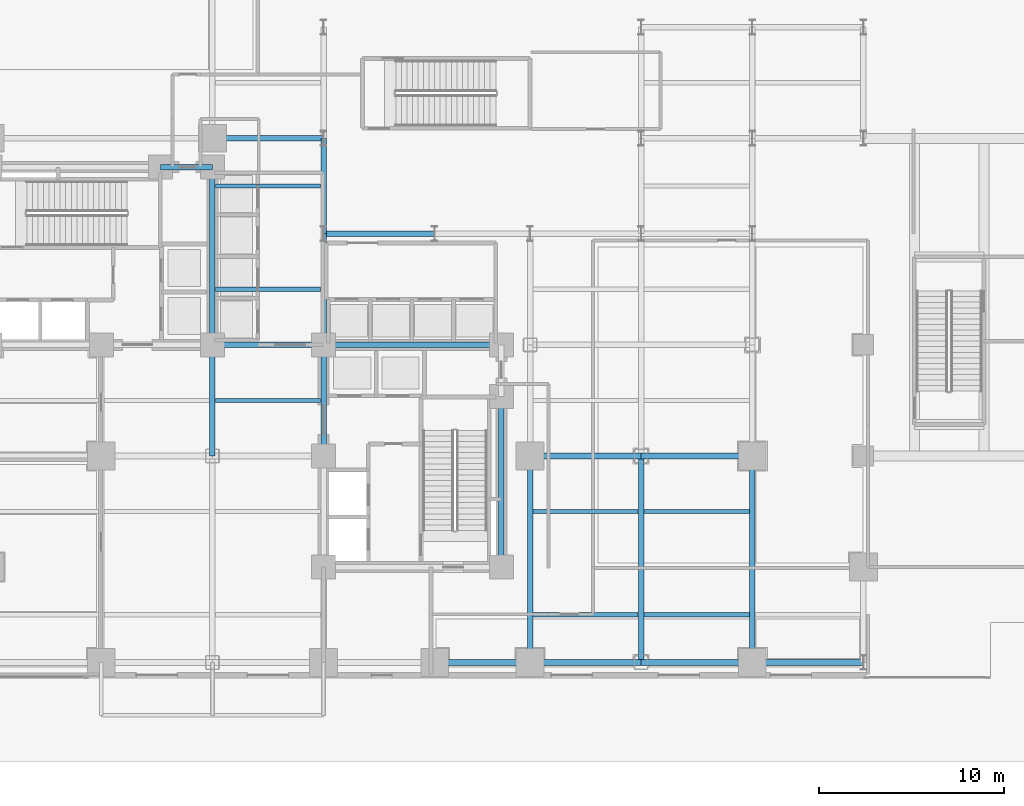
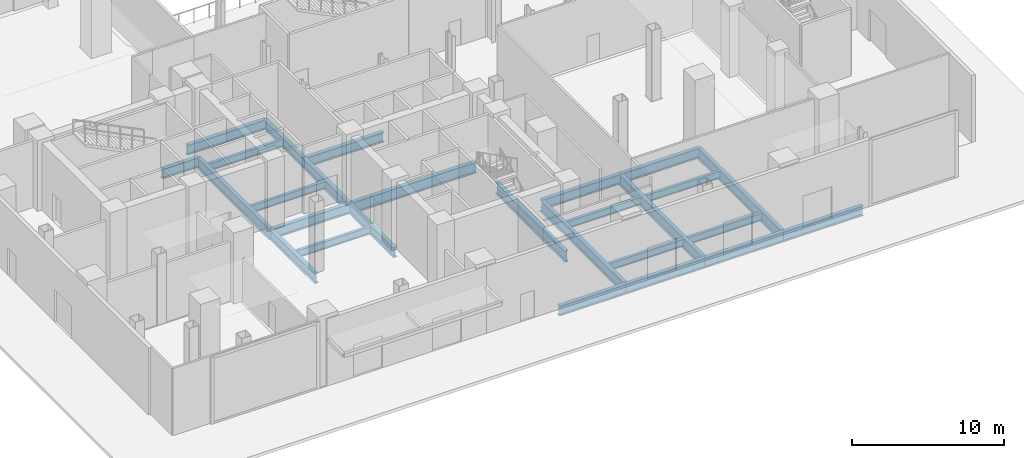
# One storey, part 6 of 27: 27 beams.
"""IFC4 building model written with IfcOpenShell, lengths in metres."""

from ifc_helpers import new_model, si_unit, direction, frame, origin, origin_2d, place, context, subcontext, project, spatial, i_section, extrude, material, material_profile, profile_set, type_object, element, save


model = new_model("IFC4")

# Units and contexts
model_context = context("Model", 3, precision=1e-05, world=origin(), true_north=direction((0.0, 1.0)))
body_context = subcontext(model_context, "Body", "Model", "MODEL_VIEW")
ifc_project = project(units=[si_unit("LENGTHUNIT", "METRE"), si_unit("AREAUNIT", "SQUARE_METRE"), si_unit("VOLUMEUNIT", "CUBIC_METRE"), si_unit("PLANEANGLEUNIT", "RADIAN"), si_unit("MASSUNIT", "GRAM", prefix="KILO"), si_unit("THERMODYNAMICTEMPERATUREUNIT", "KELVIN"), si_unit("POWERUNIT", "WATT")], contexts=[model_context])

# Site, building, storey
site_placement = place(None, origin())
site = spatial("IfcSite", under=ifc_project, at=site_placement, CompositionType="ELEMENT")
building_placement = place(site_placement, origin())
building = spatial("IfcBuilding", under=site, at=building_placement, Name="Svarakhadi Broadcast Tower", CompositionType="ELEMENT")
storey_placement = place(building_placement, origin())
storey = spatial("IfcBuildingStorey", under=building, at=storey_placement, Name="L00", CompositionType="ELEMENT", Elevation=0.0)

# Beams
ifc_material_1 = material(Name="Steel S355J2 (IS 2062 E350C)", Category="steel")
ifc_material_profile_1 = material_profile(ifc_material_1, i_section(OverallWidth=0.219970703125, OverallDepth=0.60009765625, WebThickness=0.011962890625, FlangeThickness=0.01904296875, FilletRadius=0.02392578125, at=origin_2d()), Name="NPB 600x220x122")
ifc_profile_set_1 = profile_set([ifc_material_profile_1], Name="Steel S355J2 (IS 2062 E350C)")
beam_type_1 = type_object("IfcBeamType", Name="Beam_NPB600", PredefinedType="BEAM", material=ifc_profile_set_1)
for number, where, z_axis, x_axis, name in (
    (1, (18.159912109375, 15.0, -0.64990234375), (1.0, 0.0, 0.0), (0.0, 1.0, 0.0), "L00 Secondary Composite Beam SB015"),
    (2, (18.159912109375, 21.0, -0.64990234375), (1.0, 0.0, 0.0), (0.0, 1.0, 0.0), "L00 Secondary Composite Beam SB016"),
    (3, (18.159912109375, 26.574951171875, -0.64990234375), (1.0, 0.0, 0.0), (0.0, 1.0, 0.0), "L00 Secondary Composite Beam SB017"),
):
    element("IfcBeam", number, at=place(storey_placement, frame(where, z_axis=z_axis, x_axis=x_axis)), inside=storey, type_object=beam_type_1, Name=name, PredefinedType="BEAM", context=body_context, shape_type="SweptSolid", body=[
        extrude(i_section(OverallWidth=0.219970703125, OverallDepth=0.60009765625, WebThickness=0.011962890625, FlangeThickness=0.01904296875, FilletRadius=0.02392578125, at=origin_2d()), origin(), (0.0, 0.0, 1.0), 5.68017578125),
    ])
for number, where, z_axis, x_axis, name in (
    (4, (35.31005859375, 3.425048828125, -0.64990234375), (1.0, 0.0, 0.0), (0.0, 1.0, 0.0), "L00 Secondary Composite Beam SB019"),
    (5, (35.31005859375, 9.0, -0.64990234375), (1.0, 0.0, 0.0), (0.0, 1.0, 0.0), "L00 Secondary Composite Beam SB020"),
    (6, (41.31005859375, 3.425048828125, -0.64990234375), (1.0, 0.0, 0.0), (0.0, 1.0, 0.0), "L00 Secondary Composite Beam SB023"),
    (7, (41.31005859375, 9.0, -0.64990234375), (1.0, 0.0, 0.0), (0.0, 1.0, 0.0), "L00 Secondary Composite Beam SB024"),
):
    element("IfcBeam", number, at=place(storey_placement, frame(where, z_axis=z_axis, x_axis=x_axis)), inside=storey, type_object=beam_type_1, Name=name, PredefinedType="BEAM", context=body_context, shape_type="SweptSolid", body=[
        extrude(i_section(OverallWidth=0.219970703125, OverallDepth=0.60009765625, WebThickness=0.011962890625, FlangeThickness=0.01904296875, FilletRadius=0.02392578125, at=origin_2d()), origin(), (0.0, 0.0, 1.0), 5.679931640625),
    ])
ifc_material_profile_2 = material_profile(ifc_material_1, i_section(OverallWidth=0.300048828125, OverallDepth=0.800048828125, WebThickness=0.017578125, FlangeThickness=0.032958984375, FilletRadius=0.030029296875, at=origin_2d()), Name="WPB 800x300x262")
ifc_profile_set_2 = profile_set([ifc_material_profile_2], Name="Steel S355J2 (IS 2062 E350C)")
beam_type_2 = type_object("IfcBeamType", Name="Girder_WPB800", PredefinedType="USERDEFINED", material=ifc_profile_set_2)
beam_1_placement = place(storey_placement, frame((30.0, 0.85009765625, -0.75), z_axis=(1.0, 0.0, 0.0), x_axis=(0.0, 1.0, 0.0)))
element("IfcBeam", 8, at=beam_1_placement, inside=storey, type_object=beam_type_2, Name="L00 Primary E-W Girder G008", ObjectType="GIRDER", PredefinedType="USERDEFINED", context=body_context, shape_type="SweptSolid", body=[
    extrude(i_section(OverallWidth=0.300048828125, OverallDepth=0.800048828125, WebThickness=0.017578125, FlangeThickness=0.032958984375, FilletRadius=0.030029296875, at=origin_2d()), origin(), (0.0, 0.0, 1.0), 5.14990234375),
])
for number, where, z_axis, x_axis, name in (
    (9, (35.14990234375, 0.85009765625, -0.75), (1.0, 0.0, 0.0), (0.0, 1.0, 0.0), "L00 Primary E-W Girder G009"),
    (10, (41.14990234375, 0.85009765625, -0.75), (1.0, 0.0, 0.0), (0.0, 1.0, 0.0), "L00 Primary E-W Girder G010"),
    (11, (47.14990234375, 0.85009765625, -0.75), (1.0, 0.0, 0.0), (0.0, 1.0, 0.0), "L00 Primary E-W Girder G011"),
    (12, (35.14990234375, 12.0, -0.75), (1.0, 0.0, 0.0), (0.0, 1.0, 0.0), "L00 Primary E-W Girder G018"),
    (13, (41.14990234375, 12.0, -0.75), (1.0, 0.0, 0.0), (0.0, 1.0, 0.0), "L00 Primary E-W Girder G019"),
    (14, (18.0, 18.0, -0.75), (1.0, 0.0, 0.0), (0.0, 1.0, 0.0), "L00 Primary E-W Girder G023"),
    (15, (24.0, 24.0, -0.75), (1.0, 0.0, 0.0), (0.0, 1.0, 0.0), "L00 Primary E-W Girder G026"),
):
    element("IfcBeam", number, at=place(storey_placement, frame(where, z_axis=z_axis, x_axis=x_axis)), inside=storey, type_object=beam_type_2, Name=name, ObjectType="GIRDER", PredefinedType="USERDEFINED", context=body_context, shape_type="SweptSolid", body=[
        extrude(i_section(OverallWidth=0.300048828125, OverallDepth=0.800048828125, WebThickness=0.017578125, FlangeThickness=0.032958984375, FilletRadius=0.030029296875, at=origin_2d()), origin(), (0.0, 0.0, 1.0), 6.0),
    ])
beam_2_placement = place(storey_placement, frame((15.199951171875, 27.60009765625, -0.75), z_axis=(1.0, 0.0, 0.0), x_axis=(0.0, 1.0, 0.0)))
element("IfcBeam", 16, at=beam_2_placement, inside=storey, type_object=beam_type_2, Name="L00 Primary E-W Girder G031", ObjectType="GIRDER", PredefinedType="USERDEFINED", context=body_context, shape_type="SweptSolid", body=[
    extrude(i_section(OverallWidth=0.300048828125, OverallDepth=0.800048828125, WebThickness=0.017578125, FlangeThickness=0.032958984375, FilletRadius=0.030029296875, at=origin_2d()), origin(), (0.0, 0.0, 1.0), 2.800048828125),
])
for number, where, z_axis, x_axis, name in (
    (17, (18.0, 29.14990234375, -0.75), (1.0, 0.0, 0.0), (0.0, 1.0, 0.0), "L00 Primary E-W Girder G034"),
    (18, (18.0, 12.0, -0.75), (0.0, 1.0, 0.0), (-1.0, 0.0, 0.0), "L00 Primary N-S Girder G060"),
    (19, (24.0, 12.0, -0.75), (0.0, 1.0, 0.0), (-1.0, 0.0, 0.0), "L00 Primary N-S Girder G066"),
    (20, (24.0, 18.0, -0.75), (0.0, 1.0, 0.0), (-1.0, 0.0, 0.0), "L00 Primary N-S Girder G067"),
):
    element("IfcBeam", number, at=place(storey_placement, frame(where, z_axis=z_axis, x_axis=x_axis)), inside=storey, type_object=beam_type_2, Name=name, ObjectType="GIRDER", PredefinedType="USERDEFINED", context=body_context, shape_type="SweptSolid", body=[
        extrude(i_section(OverallWidth=0.300048828125, OverallDepth=0.800048828125, WebThickness=0.017578125, FlangeThickness=0.032958984375, FilletRadius=0.030029296875, at=origin_2d()), origin(), (0.0, 0.0, 1.0), 6.0),
    ])
beam_3_placement = place(storey_placement, frame((24.0, 24.0, -0.75), z_axis=(0.0, 1.0, 0.0), x_axis=(-1.0, 0.0, 0.0)))
element("IfcBeam", 21, at=beam_3_placement, inside=storey, type_object=beam_type_2, Name="L00 Primary N-S Girder G068", ObjectType="GIRDER", PredefinedType="USERDEFINED", context=body_context, shape_type="SweptSolid", body=[
    extrude(i_section(OverallWidth=0.300048828125, OverallDepth=0.800048828125, WebThickness=0.017578125, FlangeThickness=0.032958984375, FilletRadius=0.030029296875, at=origin_2d()), origin(), (0.0, 0.0, 1.0), 5.14990234375),
])
ifc_material_2 = material(Name="Steel S460ML (IS 2062 E450BR)", Category="steel")
ifc_material_profile_3 = material_profile(ifc_material_2, i_section(OverallWidth=0.300048828125, OverallDepth=0.89990234375, WebThickness=0.0185546875, FlangeThickness=0.034912109375, FilletRadius=0.030029296875, at=origin_2d()), Name="WPB 900x300x291")
ifc_profile_set_3 = profile_set([ifc_material_profile_3], Name="Steel S460ML (IS 2062 E450BR)")
beam_type_3 = type_object("IfcBeamType", Name="Girder_WPB900", PredefinedType="USERDEFINED", material=ifc_profile_set_3)
for number, where, z_axis, x_axis, name in (
    (22, (24.0, 18.0, -0.800048828125), (1.0, 0.0, 0.0), (0.0, 1.0, 0.0), "L00 Primary E-W Girder G024"),
    (23, (18.0, 18.0, -0.800048828125), (0.0, 1.0, 0.0), (-1.0, 0.0, 0.0), "L00 Primary N-S Girder G061"),
):
    element("IfcBeam", number, at=place(storey_placement, frame(where, z_axis=z_axis, x_axis=x_axis)), inside=storey, type_object=beam_type_3, Name=name, ObjectType="GIRDER", PredefinedType="USERDEFINED", context=body_context, shape_type="SweptSolid", body=[
        extrude(i_section(OverallWidth=0.300048828125, OverallDepth=0.89990234375, WebThickness=0.0185546875, FlangeThickness=0.034912109375, FilletRadius=0.030029296875, at=origin_2d()), origin(), (0.0, 0.0, 1.0), 9.60009765625),
    ])
beam_4_placement = place(storey_placement, frame((33.60009765625, 6.0, -0.800048828125), z_axis=(0.0, 1.0, 0.0), x_axis=(-1.0, 0.0, 0.0)))
element("IfcBeam", 24, at=beam_4_placement, inside=storey, type_object=beam_type_3, Name="L00 Primary N-S Girder G070", ObjectType="GIRDER", PredefinedType="USERDEFINED", context=body_context, shape_type="SweptSolid", body=[
    extrude(i_section(OverallWidth=0.300048828125, OverallDepth=0.89990234375, WebThickness=0.0185546875, FlangeThickness=0.034912109375, FilletRadius=0.030029296875, at=origin_2d()), origin(), (0.0, 0.0, 1.0), 9.199951171875),
])
for number, where, z_axis, x_axis, name in (
    (25, (35.14990234375, 0.85009765625, -0.800048828125), (0.0, 1.0, 0.0), (-1.0, 0.0, 0.0), "L00 Primary N-S Girder G072"),
    (26, (41.14990234375, 0.85009765625, -0.800048828125), (0.0, 1.0, 0.0), (-1.0, 0.0, 0.0), "L00 Primary N-S Girder G075"),
    (27, (47.14990234375, 0.85009765625, -0.800048828125), (0.0, 1.0, 0.0), (-1.0, 0.0, 0.0), "L00 Primary N-S Girder G079"),
):
    element("IfcBeam", number, at=place(storey_placement, frame(where, z_axis=z_axis, x_axis=x_axis)), inside=storey, type_object=beam_type_3, Name=name, ObjectType="GIRDER", PredefinedType="USERDEFINED", context=body_context, shape_type="SweptSolid", body=[
        extrude(i_section(OverallWidth=0.300048828125, OverallDepth=0.89990234375, WebThickness=0.0185546875, FlangeThickness=0.034912109375, FilletRadius=0.030029296875, at=origin_2d()), origin(), (0.0, 0.0, 1.0), 11.14990234375),
    ])

save(model, "model.ifc")
